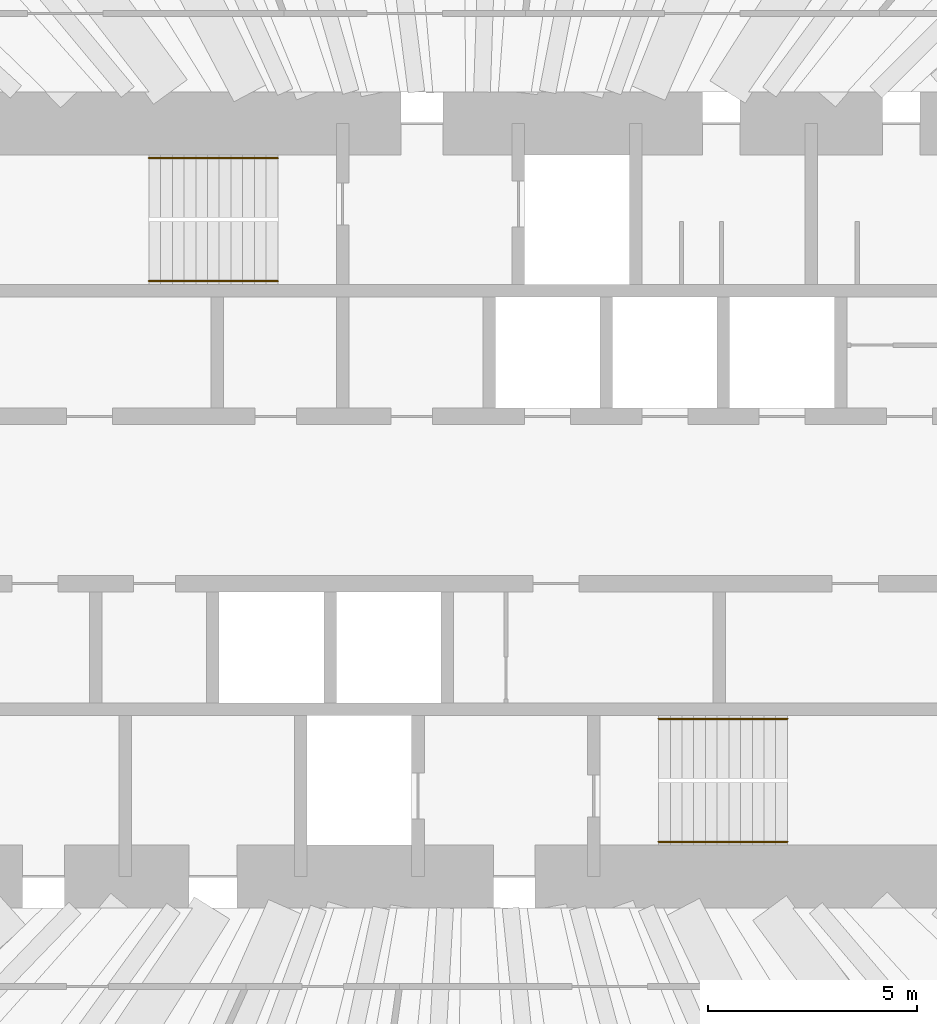
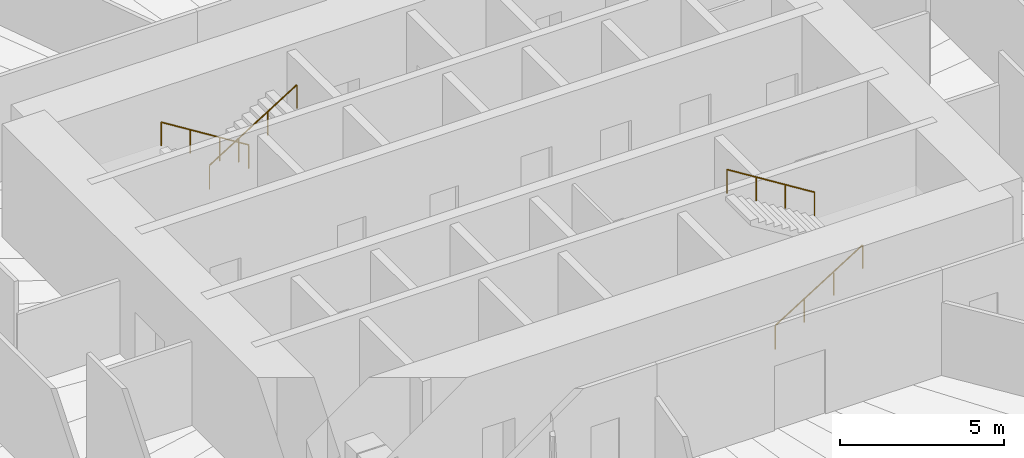
# One storey, part 12 of 12: 4 railings.
"""IFC4 building model written with IfcOpenShell, lengths in metres."""

from ifc_helpers import new_model, si_unit, direction, frame, origin, origin_2d, place, context, subcontext, project, spatial, circle, extrude, material, type_object, element, save


model = new_model("IFC4")

# Units and contexts
model_context = context("Model", 3, precision=1e-05, world=origin(), true_north=direction((0.0, 1.0)))
body_context = subcontext(model_context, "Body", "Model", "MODEL_VIEW")
ifc_project = project(units=[si_unit("LENGTHUNIT", "METRE"), si_unit("AREAUNIT", "SQUARE_METRE"), si_unit("VOLUMEUNIT", "CUBIC_METRE"), si_unit("PLANEANGLEUNIT", "RADIAN"), si_unit("MASSUNIT", "GRAM", prefix="KILO")], contexts=[model_context])

# Site, building, storey
site_placement = place(None, origin())
site = spatial("IfcSite", under=ifc_project, at=site_placement, CompositionType="ELEMENT")
building_placement = place(site_placement, origin())
building = spatial("IfcBuilding", under=site, at=building_placement, Name="Qingtian Harvest Tower", CompositionType="ELEMENT")
storey_placement = place(building_placement, frame((0.0, 0.0, 170.199951171875)))
storey = spatial("IfcBuildingStorey", under=building, at=storey_placement, Name="L36", CompositionType="ELEMENT", Elevation=170.199951171875)

# Railings
ifc_material = material(Name="Stainless steel handrail", Category="steel")
railing_type = type_object("IfcRailingType", Name="Handrail HR1", PredefinedType="HANDRAIL", material=ifc_material)
railing_1_placement = place(storey_placement, frame((-4.550048828125, 8.169921875, 0.175048828125)))
element("IfcRailing", 1, at=railing_1_placement, inside=storey, type_object=railing_type, Name="Handrail HR1 S1 flight 1", PredefinedType="HANDRAIL", context=body_context, shape_type="SweptSolid", body=[
    extrude(circle(Radius=0.02392578125, at=origin_2d()), frame((0.0, 0.0, 0.8759765625), z_axis=(-0.847979421464, 0.0, 0.530029150871), x_axis=(0.0, -1.0, 0.0)), (0.0, 0.0, 1.0), 3.632080078125),
    extrude(circle(Radius=0.02099609375, at=origin_2d()), origin(), (0.0, 0.0, 1.0), 0.851806640625),
    extrude(circle(Radius=0.02099609375, at=origin_2d()), frame((-1.026611328125, 0.0, 0.6416015625)), (0.0, 0.0, 1.0), 0.851806640625),
    extrude(circle(Radius=0.02099609375, at=origin_2d()), frame((-2.05322265625, 0.0, 1.283447265625)), (0.0, 0.0, 1.0), 0.851806640625),
    extrude(circle(Radius=0.02099609375, at=origin_2d()), frame((-3.079833984375, 0.0, 1.925048828125)), (0.0, 0.0, 1.0), 0.851806640625),
])
railing_2_placement = place(storey_placement, frame((-7.6298828125, 5.22998046875, 2.275146484375)))
element("IfcRailing", 2, at=railing_2_placement, inside=storey, type_object=railing_type, Name="Handrail HR1 S1 flight 2", PredefinedType="HANDRAIL", context=body_context, shape_type="SweptSolid", body=[
    extrude(circle(Radius=0.02392578125, at=origin_2d()), frame((0.0, 0.0, 0.8759765625), z_axis=(0.848009633417, 0.0, 0.529980812513), x_axis=(0.0, 1.0, 0.0)), (0.0, 0.0, 1.0), 3.6318359375),
    extrude(circle(Radius=0.02099609375, at=origin_2d()), origin(), (0.0, 0.0, 1.0), 0.851806640625),
    extrude(circle(Radius=0.02099609375, at=origin_2d()), frame((1.026611328125, 0.0, 0.6416015625)), (0.0, 0.0, 1.0), 0.851806640625),
    extrude(circle(Radius=0.02099609375, at=origin_2d()), frame((2.05322265625, 0.0, 1.283203125)), (0.0, 0.0, 1.0), 0.851806640625),
    extrude(circle(Radius=0.02099609375, at=origin_2d()), frame((3.079833984375, 0.0, 1.9248046875)), (0.0, 0.0, 1.0), 0.851806640625),
])
railing_3_placement = place(storey_placement, frame((4.550048828125, -8.169921875, 0.175048828125)))
element("IfcRailing", 3, at=railing_3_placement, inside=storey, type_object=railing_type, Name="Handrail HR1 S2 flight 1", PredefinedType="HANDRAIL", context=body_context, shape_type="SweptSolid", body=[
    extrude(circle(Radius=0.02392578125, at=origin_2d()), frame((0.0, 0.0, 0.8759765625), z_axis=(0.847979421464, 0.0, 0.530029150871), x_axis=(0.0, 1.0, 0.0)), (0.0, 0.0, 1.0), 3.632080078125),
    extrude(circle(Radius=0.02099609375, at=origin_2d()), origin(), (0.0, 0.0, 1.0), 0.851806640625),
    extrude(circle(Radius=0.02099609375, at=origin_2d()), frame((1.026611328125, 0.0, 0.6416015625)), (0.0, 0.0, 1.0), 0.851806640625),
    extrude(circle(Radius=0.02099609375, at=origin_2d()), frame((2.05322265625, 0.0, 1.283447265625)), (0.0, 0.0, 1.0), 0.851806640625),
    extrude(circle(Radius=0.02099609375, at=origin_2d()), frame((3.079833984375, 0.0, 1.925048828125)), (0.0, 0.0, 1.0), 0.851806640625),
])
railing_4_placement = place(storey_placement, frame((7.6298828125, -5.22998046875, 2.275146484375)))
element("IfcRailing", 4, at=railing_4_placement, inside=storey, type_object=railing_type, Name="Handrail HR1 S2 flight 2", PredefinedType="HANDRAIL", context=body_context, shape_type="SweptSolid", body=[
    extrude(circle(Radius=0.02392578125, at=origin_2d()), frame((0.0, 0.0, 0.8759765625), z_axis=(-0.848009633417, 0.0, 0.529980812513), x_axis=(0.0, -1.0, 0.0)), (0.0, 0.0, 1.0), 3.6318359375),
    extrude(circle(Radius=0.02099609375, at=origin_2d()), origin(), (0.0, 0.0, 1.0), 0.851806640625),
    extrude(circle(Radius=0.02099609375, at=origin_2d()), frame((-1.026611328125, 0.0, 0.6416015625)), (0.0, 0.0, 1.0), 0.851806640625),
    extrude(circle(Radius=0.02099609375, at=origin_2d()), frame((-2.05322265625, 0.0, 1.283203125)), (0.0, 0.0, 1.0), 0.851806640625),
    extrude(circle(Radius=0.02099609375, at=origin_2d()), frame((-3.079833984375, 0.0, 1.9248046875)), (0.0, 0.0, 1.0), 0.851806640625),
])

save(model, "model.ifc")
